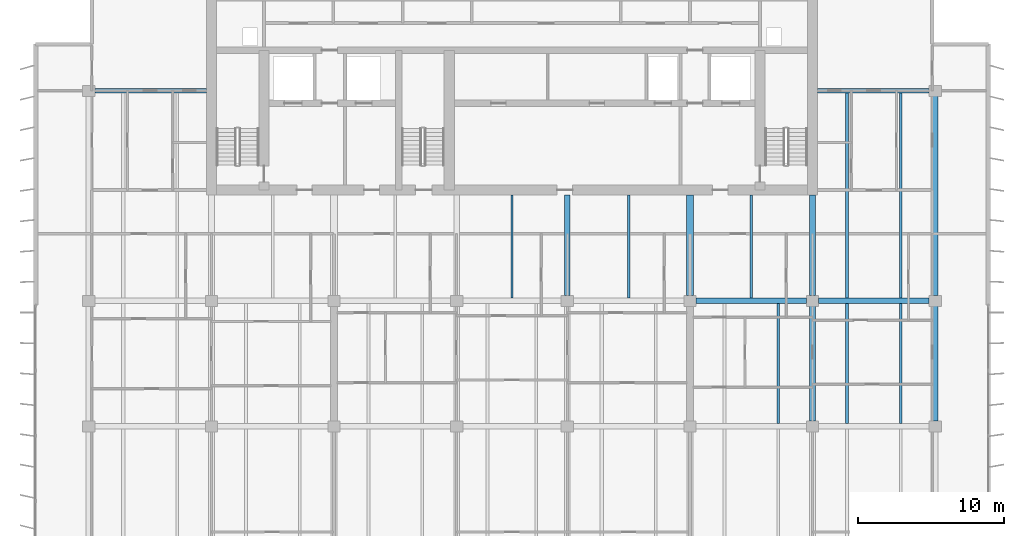
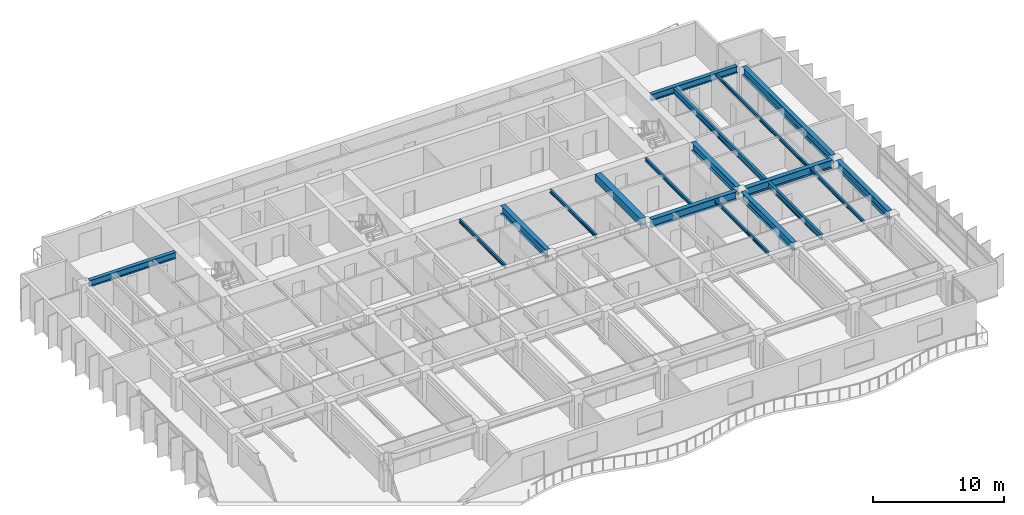
# One storey, part 5 of 17: 18 beams.
"""IFC4 building model written with IfcOpenShell, lengths in metres."""

from ifc_helpers import new_model, si_unit, direction, frame, origin, origin_2d, place, context, subcontext, project, spatial, rectangle, i_section, extrude, material, material_profile, profile_set, type_object, element, save


model = new_model("IFC4")

# Units and contexts
model_context = context("Model", 3, precision=1e-05, world=origin(), true_north=direction((0.0, 1.0)))
body_context = subcontext(model_context, "Body", "Model", "MODEL_VIEW")
ifc_project = project(units=[si_unit("LENGTHUNIT", "METRE"), si_unit("AREAUNIT", "SQUARE_METRE"), si_unit("VOLUMEUNIT", "CUBIC_METRE"), si_unit("PLANEANGLEUNIT", "RADIAN"), si_unit("MASSUNIT", "GRAM", prefix="KILO")], contexts=[model_context])

# Site, building, storey
site_placement = place(None, origin())
site = spatial("IfcSite", under=ifc_project, at=site_placement, CompositionType="ELEMENT")
building_placement = place(site_placement, origin())
building = spatial("IfcBuilding", under=site, at=building_placement, Name="Caelmar Bay Residences", CompositionType="ELEMENT")
storey_placement = place(building_placement, frame((0.0, 0.0, 208.199951171875)))
storey = spatial("IfcBuildingStorey", under=building, at=storey_placement, Name="L58", CompositionType="ELEMENT", Elevation=208.199951171875)

# Beams
ifc_material_1 = material(Name="Steel ASTM A992 Grade 50", Category="steel")
ifc_material_profile_1 = material_profile(ifc_material_1, i_section(OverallWidth=0.381103515625, OverallDepth=0.77197265625, WebThickness=0.0166015625, FlangeThickness=0.027099609375, FilletRadius=0.0166015625, at=origin_2d()), Name="W30X173")
ifc_profile_set_1 = profile_set([ifc_material_profile_1], Name="Steel ASTM A992 Grade 50")
beam_type_1 = type_object("IfcBeamType", Name="BM-GRD-W30X173", PredefinedType="BEAM", material=ifc_profile_set_1)
for number, where, z_axis, x_axis, name in (
    (1, (51.514892578125, 29.39990234375, 2.6640625), (1.0, 0.0, 0.0), (0.0, 1.0, 0.0), "L58 East-West Girder Y=29.40 (51.1-59.5)"),
    (2, (59.9150390625, 29.39990234375, 2.6640625), (1.0, 0.0, 0.0), (0.0, 1.0, 0.0), "L58 East-West Girder Y=29.40 (59.5-67.9)"),
):
    element("IfcBeam", number, at=place(storey_placement, frame(where, z_axis=z_axis, x_axis=x_axis)), inside=storey, type_object=beam_type_1, Name=name, PredefinedType="BEAM", context=body_context, shape_type="SweptSolid", body=[
        extrude(i_section(OverallWidth=0.381103515625, OverallDepth=0.77197265625, WebThickness=0.0166015625, FlangeThickness=0.027099609375, FilletRadius=0.0166015625, at=origin_2d()), origin(), (0.0, 0.0, 1.0), 7.570068359375),
    ])
for number, where, z_axis, x_axis, name in (
    (3, (42.699951171875, 29.764892578125, 2.6640625), (0.0, 1.0, 0.0), (-1.0, 0.0, 0.0), "L58 Core Tie Girder X=42.70"),
    (4, (59.5, 29.764892578125, 2.6640625), (0.0, 1.0, 0.0), (-1.0, 0.0, 0.0), "L58 Core Tie Girder X=59.50"),
):
    element("IfcBeam", number, at=place(storey_placement, frame(where, z_axis=z_axis, x_axis=x_axis)), inside=storey, type_object=beam_type_1, Name=name, PredefinedType="BEAM", context=body_context, shape_type="SweptSolid", body=[
        extrude(i_section(OverallWidth=0.381103515625, OverallDepth=0.77197265625, WebThickness=0.0166015625, FlangeThickness=0.027099609375, FilletRadius=0.0166015625, at=origin_2d()), origin(), (0.0, 0.0, 1.0), 6.885009765625),
    ])
for number, where, z_axis, x_axis, name in (
    (5, (59.5, 21.1650390625, 2.6640625), (0.0, 1.0, 0.0), (-1.0, 0.0, 0.0), "L58 North-South Girder X=59.50 (20.8-29.4)"),
    (6, (67.89990234375, 21.1650390625, 2.6640625), (0.0, 1.0, 0.0), (-1.0, 0.0, 0.0), "L58 North-South Girder X=67.90 (20.8-29.4)"),
):
    element("IfcBeam", number, at=place(storey_placement, frame(where, z_axis=z_axis, x_axis=x_axis)), inside=storey, type_object=beam_type_1, Name=name, PredefinedType="BEAM", context=body_context, shape_type="SweptSolid", body=[
        extrude(i_section(OverallWidth=0.381103515625, OverallDepth=0.77197265625, WebThickness=0.0166015625, FlangeThickness=0.027099609375, FilletRadius=0.0166015625, at=origin_2d()), origin(), (0.0, 0.0, 1.0), 7.869873046875),
    ])
beam_1_placement = place(storey_placement, frame((67.89990234375, 29.764892578125, 2.6640625), z_axis=(0.0, 1.0, 0.0), x_axis=(-1.0, 0.0, 0.0)))
element("IfcBeam", 7, at=beam_1_placement, inside=storey, type_object=beam_type_1, Name="L58 North-South Girder X=67.90 (29.4-43.8)", PredefinedType="BEAM", context=body_context, shape_type="SweptSolid", body=[
    extrude(i_section(OverallWidth=0.381103515625, OverallDepth=0.77197265625, WebThickness=0.0166015625, FlangeThickness=0.027099609375, FilletRadius=0.0166015625, at=origin_2d()), origin(), (0.0, 0.0, 1.0), 13.670166015625),
])
ifc_material_profile_2 = material_profile(ifc_material_1, i_section(OverallWidth=0.1650390625, OverallDepth=0.31005859375, WebThickness=0.005859375, FlangeThickness=0.009765625, FilletRadius=0.007568359375, at=origin_2d()), Name="W12X26")
ifc_profile_set_2 = profile_set([ifc_material_profile_2], Name="Steel ASTM A992 Grade 50")
beam_type_2 = type_object("IfcBeamType", Name="BM-JST-W12X26", PredefinedType="JOIST", material=ifc_profile_set_2)
for number, where, z_axis, x_axis, name in (
    (8, (57.14794921875, 20.990478515625, 2.89501953125), (0.0, 1.0, 0.0), (-1.0, 0.0, 0.0), "L58 Composite Floor Joist 26"),
    (9, (65.548095703125, 20.990478515625, 2.89501953125), (0.0, 1.0, 0.0), (-1.0, 0.0, 0.0), "L58 Composite Floor Joist 28"),
):
    element("IfcBeam", number, at=place(storey_placement, frame(where, z_axis=z_axis, x_axis=x_axis)), inside=storey, type_object=beam_type_2, Name=name, PredefinedType="JOIST", context=body_context, shape_type="SweptSolid", body=[
        extrude(i_section(OverallWidth=0.1650390625, OverallDepth=0.31005859375, WebThickness=0.005859375, FlangeThickness=0.009765625, FilletRadius=0.007568359375, at=origin_2d()), origin(), (0.0, 0.0, 1.0), 8.218994140625),
    ])
for number, where, z_axis, x_axis, name in (
    (10, (38.89990234375, 29.590576171875, 2.89501953125), (0.0, 1.0, 0.0), (-1.0, 0.0, 0.0), "L58 Core-Band Composite Joist 31"),
    (11, (46.89990234375, 29.590576171875, 2.89501953125), (0.0, 1.0, 0.0), (-1.0, 0.0, 0.0), "L58 Core-Band Composite Joist 32"),
    (12, (55.300048828125, 29.590576171875, 2.89501953125), (0.0, 1.0, 0.0), (-1.0, 0.0, 0.0), "L58 Core-Band Composite Joist 33"),
):
    element("IfcBeam", number, at=place(storey_placement, frame(where, z_axis=z_axis, x_axis=x_axis)), inside=storey, type_object=beam_type_2, Name=name, PredefinedType="JOIST", context=body_context, shape_type="SweptSolid", body=[
        extrude(i_section(OverallWidth=0.1650390625, OverallDepth=0.31005859375, WebThickness=0.005859375, FlangeThickness=0.009765625, FilletRadius=0.007568359375, at=origin_2d()), origin(), (0.0, 0.0, 1.0), 7.059326171875),
    ])
beam_2_placement = place(storey_placement, frame((65.548095703125, 29.590576171875, 2.89501953125), z_axis=(0.0, 1.0, 0.0), x_axis=(-1.0, 0.0, 0.0)))
element("IfcBeam", 13, at=beam_2_placement, inside=storey, type_object=beam_type_2, Name="L58 Composite Floor Joist 37", PredefinedType="JOIST", context=body_context, shape_type="SweptSolid", body=[
    extrude(i_section(OverallWidth=0.1650390625, OverallDepth=0.31005859375, WebThickness=0.005859375, FlangeThickness=0.009765625, FilletRadius=0.007568359375, at=origin_2d()), origin(), (0.0, 0.0, 1.0), 14.046875),
])
ifc_material_profile_3 = material_profile(ifc_material_1, i_section(OverallWidth=0.2099609375, OverallDepth=0.535888671875, WebThickness=0.010986328125, FlangeThickness=0.017333984375, FilletRadius=0.0126953125, at=origin_2d()), Name="W21X68")
ifc_profile_set_3 = profile_set([ifc_material_profile_3], Name="Steel ASTM A992 Grade 50")
beam_type_3 = type_object("IfcBeamType", Name="BM-JST-W21X68", PredefinedType="JOIST", material=ifc_profile_set_3)
beam_3_placement = place(storey_placement, frame((61.85205078125, 20.990478515625, 2.781982421875), z_axis=(0.0, 1.0, 0.0), x_axis=(-1.0, 0.0, 0.0)))
element("IfcBeam", 14, at=beam_3_placement, inside=storey, type_object=beam_type_3, Name="L58 Composite Floor Joist 27", PredefinedType="JOIST", context=body_context, shape_type="SweptSolid", body=[
    extrude(i_section(OverallWidth=0.2099609375, OverallDepth=0.535888671875, WebThickness=0.010986328125, FlangeThickness=0.017333984375, FilletRadius=0.0126953125, at=origin_2d()), origin(), (0.0, 0.0, 1.0), 8.218994140625),
])
beam_4_placement = place(storey_placement, frame((61.85205078125, 29.590576171875, 2.781982421875), z_axis=(0.0, 1.0, 0.0), x_axis=(-1.0, 0.0, 0.0)))
element("IfcBeam", 15, at=beam_4_placement, inside=storey, type_object=beam_type_3, Name="L58 Composite Floor Joist 36", PredefinedType="JOIST", context=body_context, shape_type="SweptSolid", body=[
    extrude(i_section(OverallWidth=0.2099609375, OverallDepth=0.535888671875, WebThickness=0.010986328125, FlangeThickness=0.017333984375, FilletRadius=0.0126953125, at=origin_2d()), origin(), (0.0, 0.0, 1.0), 14.046875),
])
ifc_material_2 = material(Name="Concrete f'c 55 MPa (8,000 psi)", Category="concrete")
ifc_material_profile_4 = material_profile(ifc_material_2, rectangle(XDim=0.5, YDim=0.699951171875, at=origin_2d()), Name="RC-BM-500X700")
ifc_profile_set_4 = profile_set([ifc_material_profile_4], Name="Concrete f'c 55 MPa (8,000 psi)")
beam_type_4 = type_object("IfcBeamType", Name="BM-RC-500X700", PredefinedType="LINTEL", material=ifc_profile_set_4)
beam_5_placement = place(storey_placement, frame((51.10009765625, 29.764892578125, 2.699951171875), z_axis=(0.0, 1.0, 0.0), x_axis=(-1.0, 0.0, 0.0)))
element("IfcBeam", 16, at=beam_5_placement, inside=storey, type_object=beam_type_4, Name="L58 Shear-Wall Corridor Coupling Lintel E8", PredefinedType="LINTEL", context=body_context, shape_type="SweptSolid", body=[
    extrude(rectangle(XDim=0.5, YDim=0.699951171875, at=origin_2d()), origin(), (0.0, 0.0, 1.0), 6.885009765625),
])
ifc_material_profile_5 = material_profile(ifc_material_1, i_section(OverallWidth=0.324951171875, OverallDepth=0.616943359375, WebThickness=0.013916015625, FlangeThickness=0.021484375, FilletRadius=0.0126953125, at=origin_2d()), Name="W24X117")
ifc_profile_set_5 = profile_set([ifc_material_profile_5], Name="Steel ASTM A992 Grade 50")
beam_type_5 = type_object("IfcBeamType", Name="BM-SPN-W24X117", PredefinedType="SPANDREL", material=ifc_profile_set_5)
for number, where, z_axis, x_axis, name in (
    (17, (10.31494140625, 43.800048828125, 2.741455078125), (1.0, 0.0, 0.0), (0.0, 1.0, 0.0), "L58 North-West Wing Core Tie Girder"),
    (18, (59.85009765625, 43.800048828125, 2.741455078125), (1.0, 0.0, 0.0), (0.0, 1.0, 0.0), "L58 North-East Wing Core Tie Girder"),
):
    element("IfcBeam", number, at=place(storey_placement, frame(where, z_axis=z_axis, x_axis=x_axis)), inside=storey, type_object=beam_type_5, Name=name, PredefinedType="SPANDREL", context=body_context, shape_type="SweptSolid", body=[
        extrude(i_section(OverallWidth=0.324951171875, OverallDepth=0.616943359375, WebThickness=0.013916015625, FlangeThickness=0.021484375, FilletRadius=0.0126953125, at=origin_2d()), origin(), (0.0, 0.0, 1.0), 7.635009765625),
    ])

save(model, "model.ifc")
